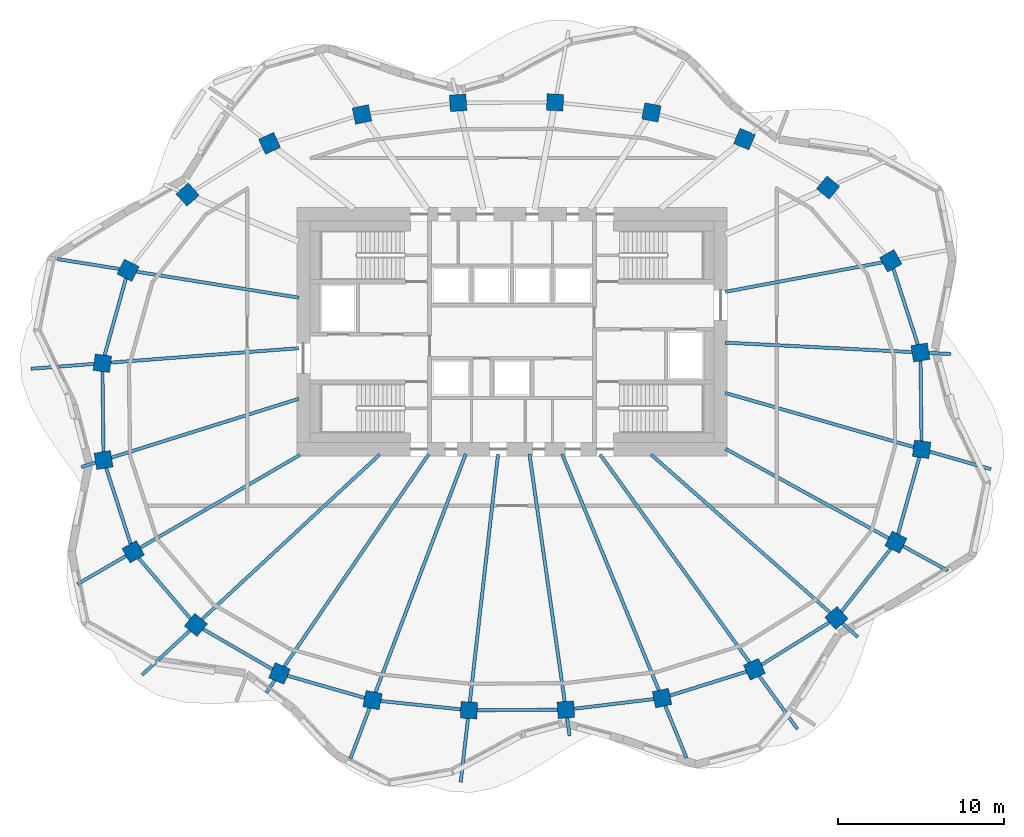
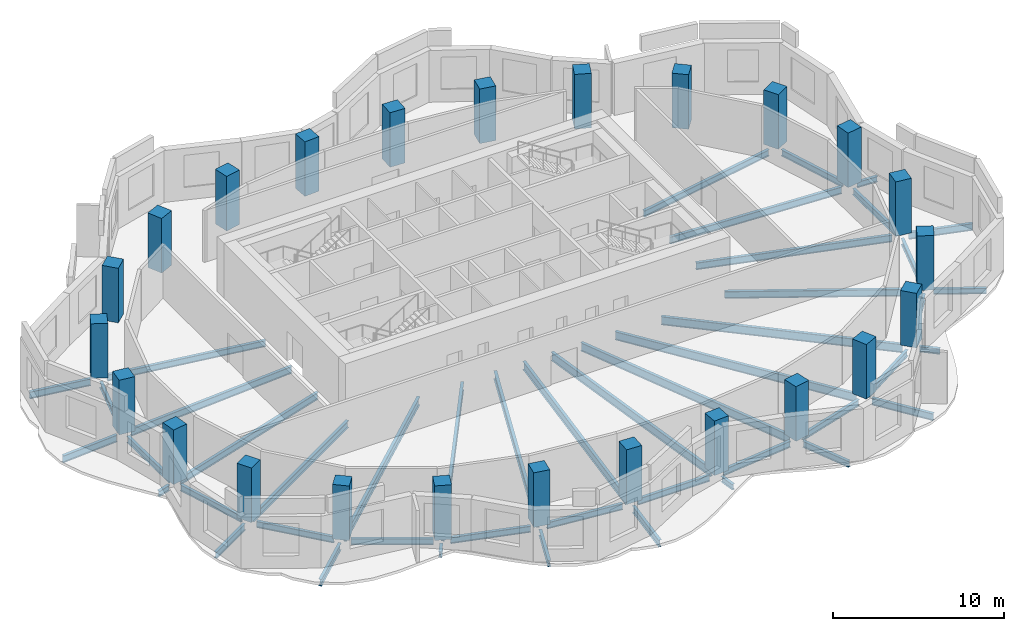
# One storey, part 1 of 8: 46 beams, 24 columns.
"""IFC4 building model written with IfcOpenShell, lengths in metres."""

from ifc_helpers import new_model, si_unit, direction, frame, origin, origin_2d, place, context, subcontext, project, spatial, rectangle, i_section, extrude, material, material_profile, profile_set, type_object, element, save


model = new_model("IFC4")

# Units and contexts
model_context = context("Model", 3, precision=1e-05, world=origin(), true_north=direction((0.0, 1.0)))
body_context = subcontext(model_context, "Body", "Model", "MODEL_VIEW")
ifc_project = project(units=[si_unit("LENGTHUNIT", "METRE"), si_unit("AREAUNIT", "SQUARE_METRE"), si_unit("VOLUMEUNIT", "CUBIC_METRE"), si_unit("PLANEANGLEUNIT", "RADIAN"), si_unit("MASSUNIT", "GRAM", prefix="KILO")], contexts=[model_context])

# Site, building, storey
site_placement = place(None, origin())
site = spatial("IfcSite", under=ifc_project, at=site_placement, CompositionType="ELEMENT")
building_placement = place(site_placement, origin())
building = spatial("IfcBuilding", under=site, at=building_placement, Name="Rubra Terraces Tower", CompositionType="ELEMENT")
storey_placement = place(building_placement, frame((0.0, 0.0, 193.5)))
storey = spatial("IfcBuildingStorey", under=building, at=storey_placement, Name="L47", CompositionType="ELEMENT", Elevation=193.5)

# Columns
ifc_material_1 = material(Name="Concrete C50", Category="concrete")
ifc_material_profile_1 = material_profile(ifc_material_1, rectangle(XDim=1.0, YDim=1.0, at=origin_2d()), Name="RC 1000x1000")
ifc_profile_set_1 = profile_set([ifc_material_profile_1], Name="Concrete C50")
column_type = type_object("IfcColumnType", Name="RING COLUMN RC 1000x1000 C50", PredefinedType="COLUMN", material=ifc_profile_set_1)
for number, where, z_axis, x_axis, name in (
    (1, (24.6689453125, 3.248046875, 0.0), (0.0, 0.0, 1.0), (-0.161559167715, 0.986863027642, 0.0), "column-L47-ring-01"),
    (2, (22.87890625, 8.787109375, 0.0), (0.0, 0.0, 1.0), (-0.48852601316, 0.872549330678, 0.0), "column-L47-ring-02"),
    (3, (19.092041015625, 13.208984375, 0.0), (0.0, 0.0, 1.0), (-0.76886986222, 0.63940529789, 0.0), "column-L47-ring-03"),
    (4, (14.0419921875, 16.135986328125, 0.0), (0.0, 0.0, 1.0), (-0.920167856842, 0.391524092789, 0.0), "column-L47-ring-04"),
    (5, (8.422119140625, 17.7490234375, 0.0), (0.0, 0.0, 1.0), (-0.981654668733, 0.19066754143, 0.0), "column-L47-ring-05"),
    (6, (2.60205078125, 18.35791015625, 0.0), (0.0, 0.0, 1.0), (-0.998764256028, 0.049698700995, 0.0), "column-L47-ring-06"),
    (7, (-3.25390625, 18.330078125, 0.0), (0.0, 0.0, 1.0), (-0.998031548759, -0.062713855578, 0.0), "column-L47-ring-07"),
    (8, (-9.06298828125, 17.625, 0.0), (0.0, 0.0, 1.0), (-0.977652674797, -0.210226657352, 0.0), "column-L47-ring-08"),
    (9, (-14.64306640625, 15.881103515625, 0.0), (0.0, 0.0, 1.0), (-0.908778580451, -0.417278673927, 0.0), "column-L47-ring-09"),
    (10, (-19.593017578125, 12.7900390625, 0.0), (0.0, 0.0, 1.0), (-0.744021317198, -0.668155879683, 0.0), "column-L47-ring-10"),
    (11, (-23.18505859375, 8.2099609375, 0.0), (0.0, 0.0, 1.0), (-0.451027931402, -0.892509834733, 0.0), "column-L47-ring-11"),
    (12, (-24.742919921875, 2.59912109375, 0.0), (0.0, 0.0, 1.0), (-0.128443684554, -0.991716804283, 0.0), "column-L47-ring-12"),
    (13, (-24.6689453125, -3.248046875, 0.0), (0.0, 0.0, 1.0), (0.161559167715, -0.986863027642, 0.0), "column-L47-ring-13"),
    (14, (-22.87890625, -8.787109375, 0.0), (0.0, 0.0, 1.0), (0.48852601316, -0.872549330678, 0.0), "column-L47-ring-14"),
    (15, (-19.092041015625, -13.208984375, 0.0), (0.0, 0.0, 1.0), (0.76886986222, -0.63940529789, 0.0), "column-L47-ring-15"),
    (16, (-14.0419921875, -16.135986328125, 0.0), (0.0, 0.0, 1.0), (0.920167856842, -0.391524092789, 0.0), "column-L47-ring-16"),
    (17, (-8.422119140625, -17.7490234375, 0.0), (0.0, 0.0, 1.0), (0.981654668733, -0.19066754143, 0.0), "column-L47-ring-17"),
    (18, (-2.60205078125, -18.35791015625, 0.0), (0.0, 0.0, 1.0), (0.998764256028, -0.049698700995, 0.0), "column-L47-ring-18"),
    (19, (3.25390625, -18.330078125, 0.0), (0.0, 0.0, 1.0), (0.998031548759, 0.062713855578, 0.0), "column-L47-ring-19"),
    (20, (9.06298828125, -17.625, 0.0), (0.0, 0.0, 1.0), (0.977652674797, 0.210226657352, 0.0), "column-L47-ring-20"),
    (21, (14.64306640625, -15.881103515625, 0.0), (0.0, 0.0, 1.0), (0.908778580451, 0.417278673927, 0.0), "column-L47-ring-21"),
    (22, (19.593017578125, -12.7900390625, 0.0), (0.0, 0.0, 1.0), (0.744021317198, 0.668155879683, 0.0), "column-L47-ring-22"),
    (23, (23.18505859375, -8.2099609375, 0.0), (0.0, 0.0, 1.0), (0.451027931402, 0.892509834733, 0.0), "column-L47-ring-23"),
    (24, (24.742919921875, -2.59912109375, 0.0), (0.0, 0.0, 1.0), (0.128443684554, 0.991716804283, 0.0), "column-L47-ring-24"),
):
    element("IfcColumn", number, at=place(storey_placement, frame(where, z_axis=z_axis, x_axis=x_axis)), inside=storey, type_object=column_type, Name=name, PredefinedType="COLUMN", context=body_context, shape_type="SweptSolid", body=[
        extrude(rectangle(XDim=1.0, YDim=1.0, at=origin_2d()), origin(), (0.0, 0.0, 1.0), 3.89990234375),
    ])

# Beams
ifc_material_2 = material(Name="Steel Q355B", Category="steel")
ifc_material_profile_2 = material_profile(ifc_material_2, i_section(OverallWidth=0.199951171875, OverallDepth=0.39990234375, WebThickness=0.008056640625, FlangeThickness=0.012939453125, at=origin_2d()), Name="HN 400x200x8x13")
ifc_profile_set_2 = profile_set([ifc_material_profile_2], Name="Steel Q355B")
beam_type_1 = type_object("IfcBeamType", Name="CANTILEVER BEAM HN 400x200x8x13", PredefinedType="BEAM", material=ifc_profile_set_2)
beam_1_placement = place(storey_placement, frame((23.6240234375, -8.449951171875, -0.39990234375), z_axis=(0.876753057926, -0.480940823197, 0.0), x_axis=(0.480940823197, 0.876753057926, 0.0)))
element("IfcBeam", 25, at=beam_1_placement, inside=storey, type_object=beam_type_1, Name="beam-L47-cant-23", PredefinedType="BEAM", context=body_context, shape_type="SweptSolid", body=[
    extrude(i_section(OverallWidth=0.199951171875, OverallDepth=0.39990234375, WebThickness=0.008056640625, FlangeThickness=0.012939453125, at=origin_2d()), origin(), (0.0, 0.0, 1.0), 3.0771484375),
])
ifc_material_profile_3 = material_profile(ifc_material_2, i_section(OverallWidth=0.198974609375, OverallDepth=0.446044921875, WebThickness=0.008056640625, FlangeThickness=0.011962890625, at=origin_2d()), Name="HN 446x199x8x12")
ifc_profile_set_3 = profile_set([ifc_material_profile_3], Name="Steel Q355B")
beam_type_2 = type_object("IfcBeamType", Name="CANTILEVER BEAM HN 446x199x8x12", PredefinedType="BEAM", material=ifc_profile_set_3)
beam_2_placement = place(storey_placement, frame((-23.31103515625, -9.0380859375, -0.423095703125), z_axis=(-0.864731547831, -0.50223435783, 0.0), x_axis=(0.50223435783, -0.864731547831, 0.0)))
element("IfcBeam", 26, at=beam_2_placement, inside=storey, type_object=beam_type_2, Name="beam-L47-cant-14", PredefinedType="BEAM", context=body_context, shape_type="SweptSolid", body=[
    extrude(i_section(OverallWidth=0.198974609375, OverallDepth=0.446044921875, WebThickness=0.008056640625, FlangeThickness=0.011962890625, at=origin_2d()), origin(), (0.0, 0.0, 1.0), 3.396484375),
])
beam_3_placement = place(storey_placement, frame((-8.60205078125, -18.222900390625, -0.423095703125), z_axis=(-0.353886787497, -0.935288266597, 0.0), x_axis=(0.935288266597, -0.353886787497, 0.0)))
element("IfcBeam", 27, at=beam_3_placement, inside=storey, type_object=beam_type_2, Name="beam-L47-cant-17", PredefinedType="BEAM", context=body_context, shape_type="SweptSolid", body=[
    extrude(i_section(OverallWidth=0.198974609375, OverallDepth=0.446044921875, WebThickness=0.008056640625, FlangeThickness=0.011962890625, at=origin_2d()), origin(), (0.0, 0.0, 1.0), 3.260986328125),
])
beam_4_placement = place(storey_placement, frame((9.256103515625, -18.094970703125, -0.423095703125), z_axis=(0.378957804719, -0.925413951831, 0.0), x_axis=(0.925413951831, 0.378957804719, 0.0)))
element("IfcBeam", 28, at=beam_4_placement, inside=storey, type_object=beam_type_2, Name="beam-L47-cant-20", PredefinedType="BEAM", context=body_context, shape_type="SweptSolid", body=[
    extrude(i_section(OverallWidth=0.198974609375, OverallDepth=0.446044921875, WebThickness=0.008056640625, FlangeThickness=0.011962890625, at=origin_2d()), origin(), (0.0, 0.0, 1.0), 3.393310546875),
])
ifc_material_profile_4 = material_profile(ifc_material_2, i_section(OverallWidth=0.198974609375, OverallDepth=0.49609375, WebThickness=0.009033203125, FlangeThickness=0.013916015625, at=origin_2d()), Name="HN 496x199x9x14")
ifc_profile_set_4 = profile_set([ifc_material_profile_4], Name="Steel Q355B")
beam_type_3 = type_object("IfcBeamType", Name="CANTILEVER BEAM HN 496x199x9x14", PredefinedType="BEAM", material=ifc_profile_set_4)
beam_5_placement = place(storey_placement, frame((-23.702880859375, 8.29296875, -0.447998046875), z_axis=(-0.98745581053, 0.157895605548, 0.0), x_axis=(-0.157895605548, -0.98745581053, 0.0)))
element("IfcBeam", 29, at=beam_5_placement, inside=storey, type_object=beam_type_3, Name="beam-L47-cant-11", PredefinedType="BEAM", context=body_context, shape_type="SweptSolid", body=[
    extrude(i_section(OverallWidth=0.198974609375, OverallDepth=0.49609375, WebThickness=0.009033203125, FlangeThickness=0.013916015625, at=origin_2d()), origin(), (0.0, 0.0, 1.0), 3.81298828125),
])
beam_6_placement = place(storey_placement, frame((-25.251953125, 2.56005859375, -0.447998046875), z_axis=(-0.997068393292, -0.076515482732, 0.0), x_axis=(0.076515482732, -0.997068393292, 0.0)))
element("IfcBeam", 30, at=beam_6_placement, inside=storey, type_object=beam_type_3, Name="beam-L47-cant-12", PredefinedType="BEAM", context=body_context, shape_type="SweptSolid", body=[
    extrude(i_section(OverallWidth=0.198974609375, OverallDepth=0.49609375, WebThickness=0.009033203125, FlangeThickness=0.013916015625, at=origin_2d()), origin(), (0.0, 0.0, 1.0), 3.816162109375),
])
beam_7_placement = place(storey_placement, frame((-19.4619140625, -13.552001953125, -0.447998046875), z_axis=(-0.733256316267, -0.679952332634, 0.0), x_axis=(0.679952332634, -0.733256316267, 0.0)))
element("IfcBeam", 31, at=beam_7_placement, inside=storey, type_object=beam_type_3, Name="beam-L47-cant-15", PredefinedType="BEAM", context=body_context, shape_type="SweptSolid", body=[
    extrude(i_section(OverallWidth=0.198974609375, OverallDepth=0.49609375, WebThickness=0.009033203125, FlangeThickness=0.013916015625, at=origin_2d()), origin(), (0.0, 0.0, 1.0), 3.92529296875),
])
beam_8_placement = place(storey_placement, frame((-2.658935546875, -18.85595703125, -0.447998046875), z_axis=(-0.113002967093, -0.993594650463, 0.0), x_axis=(0.993594650463, -0.113002967093, 0.0)))
element("IfcBeam", 32, at=beam_8_placement, inside=storey, type_object=beam_type_3, Name="beam-L47-cant-18", PredefinedType="BEAM", context=body_context, shape_type="SweptSolid", body=[
    extrude(i_section(OverallWidth=0.198974609375, OverallDepth=0.49609375, WebThickness=0.009033203125, FlangeThickness=0.013916015625, at=origin_2d()), origin(), (0.0, 0.0, 1.0), 3.8759765625),
])
beam_9_placement = place(storey_placement, frame((14.93994140625, -16.294921875, -0.447998046875), z_axis=(0.583477927211, -0.812128997424, 0.0), x_axis=(0.812128997424, 0.583477927211, 0.0)))
element("IfcBeam", 33, at=beam_9_placement, inside=storey, type_object=beam_type_3, Name="beam-L47-cant-21", PredefinedType="BEAM", context=body_context, shape_type="SweptSolid", body=[
    extrude(i_section(OverallWidth=0.198974609375, OverallDepth=0.49609375, WebThickness=0.009033203125, FlangeThickness=0.013916015625, at=origin_2d()), origin(), (0.0, 0.0, 1.0), 3.9453125),
])
beam_10_placement = place(storey_placement, frame((25.22900390625, -2.738037109375, -0.447998046875), z_axis=(0.961168845491, -0.275960958213, 0.0), x_axis=(0.275960958213, 0.961168845491, 0.0)))
element("IfcBeam", 34, at=beam_10_placement, inside=storey, type_object=beam_type_3, Name="beam-L47-cant-24", PredefinedType="BEAM", context=body_context, shape_type="SweptSolid", body=[
    extrude(i_section(OverallWidth=0.198974609375, OverallDepth=0.49609375, WebThickness=0.009033203125, FlangeThickness=0.013916015625, at=origin_2d()), origin(), (0.0, 0.0, 1.0), 3.848388671875),
])
ifc_material_profile_5 = material_profile(ifc_material_2, i_section(OverallWidth=0.199951171875, OverallDepth=0.39990234375, WebThickness=0.008056640625, FlangeThickness=0.012939453125, at=origin_2d()), Name="HN 400x200x8x13")
ifc_profile_set_5 = profile_set([ifc_material_profile_5], Name="Steel Q355B")
beam_type_4 = type_object("IfcBeamType", Name="CANTILEVER STUB HN 400x200x8x13", PredefinedType="BEAM", material=ifc_profile_set_5)
beam_11_placement = place(storey_placement, frame((25.179931640625, 3.221923828125, -0.39990234375), z_axis=(0.998722263749, -0.050535530982, 0.0), x_axis=(0.050535530982, 0.998722263749, 0.0)))
element("IfcBeam", 35, at=beam_11_placement, inside=storey, type_object=beam_type_4, Name="beam-L47-cant-01", PredefinedType="BEAM", context=body_context, shape_type="SweptSolid", body=[
    extrude(i_section(OverallWidth=0.199951171875, OverallDepth=0.39990234375, WebThickness=0.008056640625, FlangeThickness=0.012939453125, at=origin_2d()), origin(), (0.0, 0.0, 1.0), 1.32373046875),
])
beam_12_placement = place(storey_placement, frame((-25.15087890625, -3.39892578125, -0.39990234375), z_axis=(-0.953893863058, -0.300144128746, 0.0), x_axis=(0.300144128746, -0.953893863058, 0.0)))
element("IfcBeam", 36, at=beam_12_placement, inside=storey, type_object=beam_type_4, Name="beam-L47-cant-13", PredefinedType="BEAM", context=body_context, shape_type="SweptSolid", body=[
    extrude(i_section(OverallWidth=0.199951171875, OverallDepth=0.39990234375, WebThickness=0.008056640625, FlangeThickness=0.012939453125, at=origin_2d()), origin(), (0.0, 0.0, 1.0), 0.899658203125),
])
beam_13_placement = place(storey_placement, frame((-14.3291015625, -16.556884765625, -0.39990234375), z_axis=(-0.56169208574, -0.827346360853, 0.0), x_axis=(0.827346360853, -0.56169208574, 0.0)))
element("IfcBeam", 37, at=beam_13_placement, inside=storey, type_object=beam_type_4, Name="beam-L47-cant-16", PredefinedType="BEAM", context=body_context, shape_type="SweptSolid", body=[
    extrude(i_section(OverallWidth=0.199951171875, OverallDepth=0.39990234375, WebThickness=0.008056640625, FlangeThickness=0.012939453125, at=origin_2d()), origin(), (0.0, 0.0, 1.0), 0.907958984375),
])
beam_14_placement = place(storey_placement, frame((3.324951171875, -18.826904296875, -0.39990234375), z_axis=(0.14107703922, -0.989998620709, 0.0), x_axis=(0.989998620709, 0.14107703922, 0.0)))
element("IfcBeam", 38, at=beam_14_placement, inside=storey, type_object=beam_type_4, Name="beam-L47-cant-19", PredefinedType="BEAM", context=body_context, shape_type="SweptSolid", body=[
    extrude(i_section(OverallWidth=0.199951171875, OverallDepth=0.39990234375, WebThickness=0.008056640625, FlangeThickness=0.012939453125, at=origin_2d()), origin(), (0.0, 0.0, 1.0), 1.092041015625),
])
beam_15_placement = place(storey_placement, frame((19.969970703125, -13.123046875, -0.39990234375), z_axis=(0.749756467988, -0.66171386468, 0.0), x_axis=(0.66171386468, 0.749756467988, 0.0)))
element("IfcBeam", 39, at=beam_15_placement, inside=storey, type_object=beam_type_4, Name="beam-L47-cant-22", PredefinedType="BEAM", context=body_context, shape_type="SweptSolid", body=[
    extrude(i_section(OverallWidth=0.199951171875, OverallDepth=0.39990234375, WebThickness=0.008056640625, FlangeThickness=0.012939453125, at=origin_2d()), origin(), (0.0, 0.0, 1.0), 1.2255859375),
])
ifc_material_profile_6 = material_profile(ifc_material_2, i_section(OverallWidth=0.198974609375, OverallDepth=0.446044921875, WebThickness=0.008056640625, FlangeThickness=0.011962890625, at=origin_2d()), Name="HN 446x199x8x12")
ifc_profile_set_6 = profile_set([ifc_material_profile_6], Name="Steel Q355B")
beam_type_5 = type_object("IfcBeamType", Name="FLOOR BEAM HN 446x199x8x12", PredefinedType="BEAM", material=ifc_profile_set_6)
beam_16_placement = place(storey_placement, frame((22.360107421875, 8.68994140625, -0.423095703125), z_axis=(-0.982895681695, -0.18416318553, 0.0), x_axis=(0.18416318553, -0.982895681695, 0.0)))
element("IfcBeam", 40, at=beam_16_placement, inside=storey, type_object=beam_type_5, Name="beam-L47-floor-02", PredefinedType="BEAM", context=body_context, shape_type="SweptSolid", body=[
    extrude(i_section(OverallWidth=0.198974609375, OverallDepth=0.446044921875, WebThickness=0.008056640625, FlangeThickness=0.011962890625, at=origin_2d()), origin(), (0.0, 0.0, 1.0), 9.64306640625),
])
beam_17_placement = place(storey_placement, frame((-22.6669921875, 8.126953125, -0.423095703125), z_axis=(0.987435404133, -0.158023171289, 0.0), x_axis=(0.158023171289, 0.987435404133, 0.0)))
element("IfcBeam", 41, at=beam_17_placement, inside=storey, type_object=beam_type_5, Name="beam-L47-floor-11", PredefinedType="BEAM", context=body_context, shape_type="SweptSolid", body=[
    extrude(i_section(OverallWidth=0.198974609375, OverallDepth=0.446044921875, WebThickness=0.008056640625, FlangeThickness=0.011962890625, at=origin_2d()), origin(), (0.0, 0.0, 1.0), 9.909423828125),
])
ifc_material_profile_7 = material_profile(ifc_material_2, i_section(OverallWidth=0.198974609375, OverallDepth=0.49609375, WebThickness=0.009033203125, FlangeThickness=0.013916015625, at=origin_2d()), Name="HN 496x199x9x14")
ifc_profile_set_7 = profile_set([ifc_material_profile_7], Name="Steel Q355B")
beam_type_6 = type_object("IfcBeamType", Name="FLOOR BEAM HN 496x199x9x14", PredefinedType="BEAM", material=ifc_profile_set_7)
beam_18_placement = place(storey_placement, frame((24.157958984375, 3.27392578125, -0.447998046875), z_axis=(-0.998716228561, 0.050654662269, 0.0), x_axis=(-0.050654662269, -0.998716228561, 0.0)))
element("IfcBeam", 42, at=beam_18_placement, inside=storey, type_object=beam_type_6, Name="beam-L47-floor-01", PredefinedType="BEAM", context=body_context, shape_type="SweptSolid", body=[
    extrude(i_section(OverallWidth=0.198974609375, OverallDepth=0.49609375, WebThickness=0.009033203125, FlangeThickness=0.013916015625, at=origin_2d()), origin(), (0.0, 0.0, 1.0), 11.29248046875),
])
beam_19_placement = place(storey_placement, frame((-24.23388671875, 2.637939453125, -0.447998046875), z_axis=(0.997063306908, 0.076581734234, 0.0), x_axis=(-0.076581734234, 0.997063306908, 0.0)))
element("IfcBeam", 43, at=beam_19_placement, inside=storey, type_object=beam_type_6, Name="beam-L47-floor-12", PredefinedType="BEAM", context=body_context, shape_type="SweptSolid", body=[
    extrude(i_section(OverallWidth=0.198974609375, OverallDepth=0.49609375, WebThickness=0.009033203125, FlangeThickness=0.013916015625, at=origin_2d()), origin(), (0.0, 0.0, 1.0), 11.387451171875),
])
beam_20_placement = place(storey_placement, frame((-24.18701171875, -3.096923828125, -0.447998046875), z_axis=(0.954040699023, 0.299677067204, 0.0), x_axis=(-0.299677067204, 0.954040699023, 0.0)))
element("IfcBeam", 44, at=beam_20_placement, inside=storey, type_object=beam_type_6, Name="beam-L47-floor-13", PredefinedType="BEAM", context=body_context, shape_type="SweptSolid", body=[
    extrude(i_section(OverallWidth=0.198974609375, OverallDepth=0.49609375, WebThickness=0.009033203125, FlangeThickness=0.013916015625, at=origin_2d()), origin(), (0.0, 0.0, 1.0), 11.845458984375),
])
beam_21_placement = place(storey_placement, frame((-22.447021484375, -8.535888671875, -0.447998046875), z_axis=(0.864755491844, 0.502193129508, 0.0), x_axis=(-0.502193129508, 0.864755491844, 0.0)))
element("IfcBeam", 45, at=beam_21_placement, inside=storey, type_object=beam_type_6, Name="beam-L47-floor-14", PredefinedType="BEAM", context=body_context, shape_type="SweptSolid", body=[
    extrude(i_section(OverallWidth=0.198974609375, OverallDepth=0.49609375, WebThickness=0.009033203125, FlangeThickness=0.013916015625, at=origin_2d()), origin(), (0.0, 0.0, 1.0), 11.14306640625),
])
beam_22_placement = place(storey_placement, frame((22.74609375, -7.969970703125, -0.447998046875), z_axis=(-0.876862055903, 0.480742066932, 0.0), x_axis=(-0.480742066932, -0.876862055903, 0.0)))
element("IfcBeam", 46, at=beam_22_placement, inside=storey, type_object=beam_type_6, Name="beam-L47-floor-23", PredefinedType="BEAM", context=body_context, shape_type="SweptSolid", body=[
    extrude(i_section(OverallWidth=0.198974609375, OverallDepth=0.49609375, WebThickness=0.009033203125, FlangeThickness=0.013916015625, at=origin_2d()), origin(), (0.0, 0.0, 1.0), 11.234375),
])
beam_23_placement = place(storey_placement, frame((24.257080078125, -2.4599609375, -0.447998046875), z_axis=(-0.961215754667, 0.275797521707, 0.0), x_axis=(-0.275797521707, -0.961215754667, 0.0)))
element("IfcBeam", 47, at=beam_23_placement, inside=storey, type_object=beam_type_6, Name="beam-L47-floor-24", PredefinedType="BEAM", context=body_context, shape_type="SweptSolid", body=[
    extrude(i_section(OverallWidth=0.198974609375, OverallDepth=0.49609375, WebThickness=0.009033203125, FlangeThickness=0.013916015625, at=origin_2d()), origin(), (0.0, 0.0, 1.0), 11.830810546875),
])
ifc_material_profile_8 = material_profile(ifc_material_2, i_section(OverallWidth=0.198974609375, OverallDepth=0.595947265625, WebThickness=0.010009765625, FlangeThickness=0.014892578125, at=origin_2d()), Name="HN 596x199x10x15")
ifc_profile_set_8 = profile_set([ifc_material_profile_8], Name="Steel Q355B")
beam_type_7 = type_object("IfcBeamType", Name="FLOOR BEAM HN 596x199x10x15", PredefinedType="BEAM", material=ifc_profile_set_8)
beam_24_placement = place(storey_placement, frame((-18.721923828125, -12.865966796875, -0.498046875), z_axis=(0.733130458484, 0.680088031687, 0.0), x_axis=(-0.680088031687, 0.733130458484, 0.0)))
element("IfcBeam", 48, at=beam_24_placement, inside=storey, type_object=beam_type_7, Name="beam-L47-floor-15", PredefinedType="BEAM", context=body_context, shape_type="SweptSolid", body=[
    extrude(i_section(OverallWidth=0.198974609375, OverallDepth=0.595947265625, WebThickness=0.010009765625, FlangeThickness=0.014892578125, at=origin_2d()), origin(), (0.0, 0.0, 1.0), 14.62744140625),
])
beam_25_placement = place(storey_placement, frame((-13.7548828125, -15.715087890625, -0.498046875), z_axis=(0.562545242124, 0.826766503049, 0.0), x_axis=(-0.826766503049, 0.562545242124, 0.0)))
element("IfcBeam", 49, at=beam_25_placement, inside=storey, type_object=beam_type_7, Name="beam-L47-floor-16", PredefinedType="BEAM", context=body_context, shape_type="SweptSolid", body=[
    extrude(i_section(OverallWidth=0.198974609375, OverallDepth=0.595947265625, WebThickness=0.010009765625, FlangeThickness=0.014892578125, at=origin_2d()), origin(), (0.0, 0.0, 1.0), 15.499267578125),
])
beam_26_placement = place(storey_placement, frame((-8.241943359375, -17.27490234375, -0.498046875), z_axis=(0.353955134415, 0.93526240319, 0.0), x_axis=(-0.93526240319, 0.353955134415, 0.0)))
element("IfcBeam", 50, at=beam_26_placement, inside=storey, type_object=beam_type_7, Name="beam-L47-floor-17", PredefinedType="BEAM", context=body_context, shape_type="SweptSolid", body=[
    extrude(i_section(OverallWidth=0.198974609375, OverallDepth=0.595947265625, WebThickness=0.010009765625, FlangeThickness=0.014892578125, at=origin_2d()), origin(), (0.0, 0.0, 1.0), 15.3828125),
])
beam_27_placement = place(storey_placement, frame((-2.544921875, -17.860107421875, -0.498046875), z_axis=(0.113084825914, 0.993585337124, 0.0), x_axis=(-0.993585337124, 0.113084825914, 0.0)))
element("IfcBeam", 51, at=beam_27_placement, inside=storey, type_object=beam_type_7, Name="beam-L47-floor-18", PredefinedType="BEAM", context=body_context, shape_type="SweptSolid", body=[
    extrude(i_section(OverallWidth=0.198974609375, OverallDepth=0.595947265625, WebThickness=0.010009765625, FlangeThickness=0.014892578125, at=origin_2d()), origin(), (0.0, 0.0, 1.0), 15.07568359375),
])
beam_28_placement = place(storey_placement, frame((3.18310546875, -17.8330078125, -0.498046875), z_axis=(-0.141104514479, 0.989994705033, 0.0), x_axis=(-0.989994705033, -0.141104514479, 0.0)))
element("IfcBeam", 52, at=beam_28_placement, inside=storey, type_object=beam_type_7, Name="beam-L47-floor-19", PredefinedType="BEAM", context=body_context, shape_type="SweptSolid", body=[
    extrude(i_section(OverallWidth=0.198974609375, OverallDepth=0.595947265625, WebThickness=0.010009765625, FlangeThickness=0.014892578125, at=origin_2d()), origin(), (0.0, 0.0, 1.0), 15.10302734375),
])
beam_29_placement = place(storey_placement, frame((8.8701171875, -17.155029296875, -0.498046875), z_axis=(-0.379015131933, 0.925390474214, 0.0), x_axis=(-0.925390474214, -0.379015131933, 0.0)))
element("IfcBeam", 53, at=beam_29_placement, inside=storey, type_object=beam_type_7, Name="beam-L47-floor-20", PredefinedType="BEAM", context=body_context, shape_type="SweptSolid", body=[
    extrude(i_section(OverallWidth=0.198974609375, OverallDepth=0.595947265625, WebThickness=0.010009765625, FlangeThickness=0.014892578125, at=origin_2d()), origin(), (0.0, 0.0, 1.0), 15.416259765625),
])
beam_30_placement = place(storey_placement, frame((14.345947265625, -15.467041015625, -0.498046875), z_axis=(-0.583528740197, 0.812092488183, 0.0), x_axis=(-0.812092488183, -0.583528740197, 0.0)))
element("IfcBeam", 54, at=beam_30_placement, inside=storey, type_object=beam_type_7, Name="beam-L47-floor-21", PredefinedType="BEAM", context=body_context, shape_type="SweptSolid", body=[
    extrude(i_section(OverallWidth=0.198974609375, OverallDepth=0.595947265625, WebThickness=0.010009765625, FlangeThickness=0.014892578125, at=origin_2d()), origin(), (0.0, 0.0, 1.0), 15.47119140625),
])
beam_31_placement = place(storey_placement, frame((19.216064453125, -12.45703125, -0.498046875), z_axis=(-0.749823025288, 0.661638444128, 0.0), x_axis=(-0.661638444128, -0.749823025288, 0.0)))
element("IfcBeam", 55, at=beam_31_placement, inside=storey, type_object=beam_type_7, Name="beam-L47-floor-22", PredefinedType="BEAM", context=body_context, shape_type="SweptSolid", body=[
    extrude(i_section(OverallWidth=0.198974609375, OverallDepth=0.595947265625, WebThickness=0.010009765625, FlangeThickness=0.014892578125, at=origin_2d()), origin(), (0.0, 0.0, 1.0), 14.412841796875),
])
ifc_material_profile_9 = material_profile(ifc_material_2, i_section(OverallWidth=0.198974609375, OverallDepth=0.446044921875, WebThickness=0.008056640625, FlangeThickness=0.011962890625, at=origin_2d()), Name="HN 446x199x8x12")
ifc_profile_set_9 = profile_set([ifc_material_profile_9], Name="Steel Q355B")
beam_type_8 = type_object("IfcBeamType", Name="SPANDREL BEAM HN 446x199x8x12", PredefinedType="SPANDREL", material=ifc_profile_set_9)
beam_32_placement = place(storey_placement, frame((24.512939453125, 3.72900390625, -0.423095703125), z_axis=(-0.307359002872, 0.951593633519, 0.0), x_axis=(-0.951593633519, -0.307359002872, 0.0)))
element("IfcBeam", 56, at=beam_32_placement, inside=storey, type_object=beam_type_8, Name="beam-L47-spandrel-01", PredefinedType="SPANDREL", context=body_context, shape_type="SweptSolid", body=[
    extrude(i_section(OverallWidth=0.198974609375, OverallDepth=0.446044921875, WebThickness=0.008056640625, FlangeThickness=0.011962890625, at=origin_2d()), origin(), (0.0, 0.0, 1.0), 4.8056640625),
])
beam_33_placement = place(storey_placement, frame((-23.321044921875, 7.718994140625, -0.423095703125), z_axis=(-0.267625533012, -0.963523001324, 0.0), x_axis=(0.963523001324, -0.267625533012, 0.0)))
element("IfcBeam", 57, at=beam_33_placement, inside=storey, type_object=beam_type_8, Name="beam-L47-spandrel-11", PredefinedType="SPANDREL", context=body_context, shape_type="SweptSolid", body=[
    extrude(i_section(OverallWidth=0.198974609375, OverallDepth=0.446044921875, WebThickness=0.008056640625, FlangeThickness=0.011962890625, at=origin_2d()), origin(), (0.0, 0.0, 1.0), 4.808349609375),
])
beam_34_placement = place(storey_placement, frame((-24.737060546875, 2.093994140625, -0.423095703125), z_axis=(0.012822047643, -0.999917794168, 0.0), x_axis=(0.999917794168, 0.012822047643, 0.0)))
element("IfcBeam", 58, at=beam_34_placement, inside=storey, type_object=beam_type_8, Name="beam-L47-spandrel-12", PredefinedType="SPANDREL", context=body_context, shape_type="SweptSolid", body=[
    extrude(i_section(OverallWidth=0.198974609375, OverallDepth=0.446044921875, WebThickness=0.008056640625, FlangeThickness=0.011962890625, at=origin_2d()), origin(), (0.0, 0.0, 1.0), 4.83642578125),
])
beam_35_placement = place(storey_placement, frame((-24.512939453125, -3.72900390625, -0.423095703125), z_axis=(0.307359002872, -0.951593633519, 0.0), x_axis=(0.951593633519, 0.307359002872, 0.0)))
element("IfcBeam", 59, at=beam_35_placement, inside=storey, type_object=beam_type_8, Name="beam-L47-spandrel-13", PredefinedType="SPANDREL", context=body_context, shape_type="SweptSolid", body=[
    extrude(i_section(OverallWidth=0.198974609375, OverallDepth=0.446044921875, WebThickness=0.008056640625, FlangeThickness=0.011962890625, at=origin_2d()), origin(), (0.0, 0.0, 1.0), 4.8056640625),
])
beam_36_placement = place(storey_placement, frame((-22.547119140625, -9.174072265625, -0.423095703125), z_axis=(0.650372836218, -0.759615148552, 0.0), x_axis=(0.759615148552, 0.650372836218, 0.0)))
element("IfcBeam", 60, at=beam_36_placement, inside=storey, type_object=beam_type_8, Name="beam-L47-spandrel-14", PredefinedType="SPANDREL", context=body_context, shape_type="SweptSolid", body=[
    extrude(i_section(OverallWidth=0.198974609375, OverallDepth=0.446044921875, WebThickness=0.008056640625, FlangeThickness=0.011962890625, at=origin_2d()), origin(), (0.0, 0.0, 1.0), 4.804931640625),
])
beam_37_placement = place(storey_placement, frame((-18.653076171875, -13.462890625, -0.423095703125), z_axis=(0.865153680787, -0.501506838059, 0.0), x_axis=(0.501506838059, 0.865153680787, 0.0)))
element("IfcBeam", 61, at=beam_37_placement, inside=storey, type_object=beam_type_8, Name="beam-L47-spandrel-15", PredefinedType="SPANDREL", context=body_context, shape_type="SweptSolid", body=[
    extrude(i_section(OverallWidth=0.198974609375, OverallDepth=0.446044921875, WebThickness=0.008056640625, FlangeThickness=0.011962890625, at=origin_2d()), origin(), (0.0, 0.0, 1.0), 4.82568359375),
])
beam_38_placement = place(storey_placement, frame((-13.55810546875, -16.27490234375, -0.423095703125), z_axis=(0.961171164323, -0.275952881621, 0.0), x_axis=(0.275952881621, 0.961171164323, 0.0)))
element("IfcBeam", 62, at=beam_38_placement, inside=storey, type_object=beam_type_8, Name="beam-L47-spandrel-16", PredefinedType="SPANDREL", context=body_context, shape_type="SweptSolid", body=[
    extrude(i_section(OverallWidth=0.198974609375, OverallDepth=0.446044921875, WebThickness=0.008056640625, FlangeThickness=0.011962890625, at=origin_2d()), origin(), (0.0, 0.0, 1.0), 4.842041015625),
])
beam_39_placement = place(storey_placement, frame((-7.923095703125, -17.801025390625, -0.423095703125), z_axis=(0.994565426955, -0.104113454971, 0.0), x_axis=(0.104113454971, 0.994565426955, 0.0)))
element("IfcBeam", 63, at=beam_39_placement, inside=storey, type_object=beam_type_8, Name="beam-L47-spandrel-17", PredefinedType="SPANDREL", context=body_context, shape_type="SweptSolid", body=[
    extrude(i_section(OverallWidth=0.198974609375, OverallDepth=0.446044921875, WebThickness=0.008056640625, FlangeThickness=0.011962890625, at=origin_2d()), origin(), (0.0, 0.0, 1.0), 4.849365234375),
])
beam_40_placement = place(storey_placement, frame((-2.10107421875, -18.35595703125, -0.423095703125), z_axis=(0.999987852299, 0.004929021704, 0.0), x_axis=(-0.004929021704, 0.999987852299, 0.0)))
element("IfcBeam", 64, at=beam_40_placement, inside=storey, type_object=beam_type_8, Name="beam-L47-spandrel-18", PredefinedType="SPANDREL", context=body_context, shape_type="SweptSolid", body=[
    extrude(i_section(OverallWidth=0.198974609375, OverallDepth=0.446044921875, WebThickness=0.008056640625, FlangeThickness=0.011962890625, at=origin_2d()), origin(), (0.0, 0.0, 1.0), 4.85400390625),
])
beam_41_placement = place(storey_placement, frame((3.7509765625, -18.27001953125, -0.423095703125), z_axis=(0.992698018573, 0.120626049929, 0.0), x_axis=(-0.120626049929, 0.992698018573, 0.0)))
element("IfcBeam", 65, at=beam_41_placement, inside=storey, type_object=beam_type_8, Name="beam-L47-spandrel-19", PredefinedType="SPANDREL", context=body_context, shape_type="SweptSolid", body=[
    extrude(i_section(OverallWidth=0.198974609375, OverallDepth=0.446044921875, WebThickness=0.008056640625, FlangeThickness=0.011962890625, at=origin_2d()), origin(), (0.0, 0.0, 1.0), 4.849365234375),
])
beam_42_placement = place(storey_placement, frame((9.5419921875, -17.47509765625, -0.423095703125), z_axis=(0.954462027342, 0.298332429282, 0.0), x_axis=(-0.298332429282, 0.954462027342, 0.0)))
element("IfcBeam", 66, at=beam_42_placement, inside=storey, type_object=beam_type_8, Name="beam-L47-spandrel-20", PredefinedType="SPANDREL", context=body_context, shape_type="SweptSolid", body=[
    extrude(i_section(OverallWidth=0.198974609375, OverallDepth=0.446044921875, WebThickness=0.008056640625, FlangeThickness=0.011962890625, at=origin_2d()), origin(), (0.0, 0.0, 1.0), 4.840576171875),
])
beam_43_placement = place(storey_placement, frame((15.071044921875, -15.614013671875, -0.423095703125), z_axis=(0.848183088492, 0.529703170083, 0.0), x_axis=(-0.529703170083, 0.848183088492, 0.0)))
element("IfcBeam", 67, at=beam_43_placement, inside=storey, type_object=beam_type_8, Name="beam-L47-spandrel-21", PredefinedType="SPANDREL", context=body_context, shape_type="SweptSolid", body=[
    extrude(i_section(OverallWidth=0.198974609375, OverallDepth=0.446044921875, WebThickness=0.008056640625, FlangeThickness=0.011962890625, at=origin_2d()), origin(), (0.0, 0.0, 1.0), 4.8232421875),
])
beam_44_placement = place(storey_placement, frame((19.906005859375, -12.39111328125, -0.423095703125), z_axis=(0.617060338015, 0.786915840004, 0.0), x_axis=(-0.786915840004, 0.617060338015, 0.0)))
element("IfcBeam", 68, at=beam_44_placement, inside=storey, type_object=beam_type_8, Name="beam-L47-spandrel-22", PredefinedType="SPANDREL", context=body_context, shape_type="SweptSolid", body=[
    extrude(i_section(OverallWidth=0.198974609375, OverallDepth=0.446044921875, WebThickness=0.008056640625, FlangeThickness=0.011962890625, at=origin_2d()), origin(), (0.0, 0.0, 1.0), 4.8037109375),
])
beam_45_placement = place(storey_placement, frame((23.321044921875, -7.718994140625, -0.423095703125), z_axis=(0.267625533012, 0.963523001324, 0.0), x_axis=(-0.963523001324, 0.267625533012, 0.0)))
element("IfcBeam", 69, at=beam_45_placement, inside=storey, type_object=beam_type_8, Name="beam-L47-spandrel-23", PredefinedType="SPANDREL", context=body_context, shape_type="SweptSolid", body=[
    extrude(i_section(OverallWidth=0.198974609375, OverallDepth=0.446044921875, WebThickness=0.008056640625, FlangeThickness=0.011962890625, at=origin_2d()), origin(), (0.0, 0.0, 1.0), 4.808349609375),
])
beam_46_placement = place(storey_placement, frame((24.737060546875, -2.093994140625, -0.423095703125), z_axis=(-0.012822047643, 0.999917794168, 0.0), x_axis=(-0.999917794168, -0.012822047643, 0.0)))
element("IfcBeam", 70, at=beam_46_placement, inside=storey, type_object=beam_type_8, Name="beam-L47-spandrel-24", PredefinedType="SPANDREL", context=body_context, shape_type="SweptSolid", body=[
    extrude(i_section(OverallWidth=0.198974609375, OverallDepth=0.446044921875, WebThickness=0.008056640625, FlangeThickness=0.011962890625, at=origin_2d()), origin(), (0.0, 0.0, 1.0), 4.83642578125),
])

save(model, "model.ifc")
